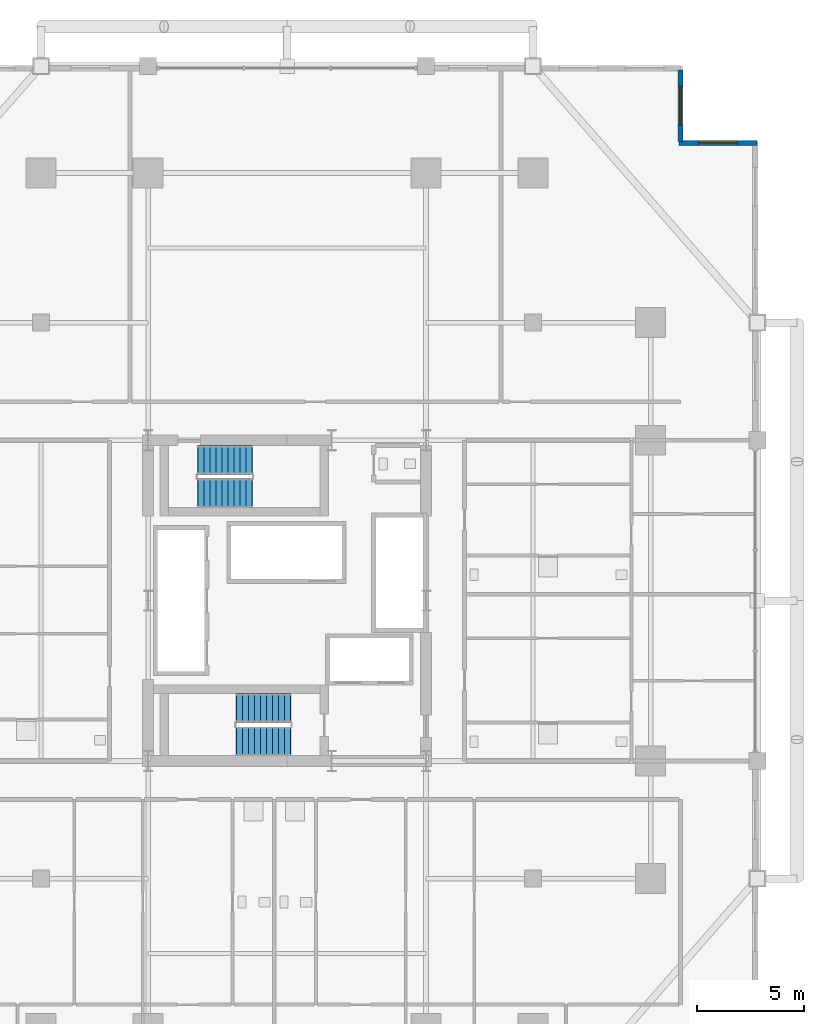
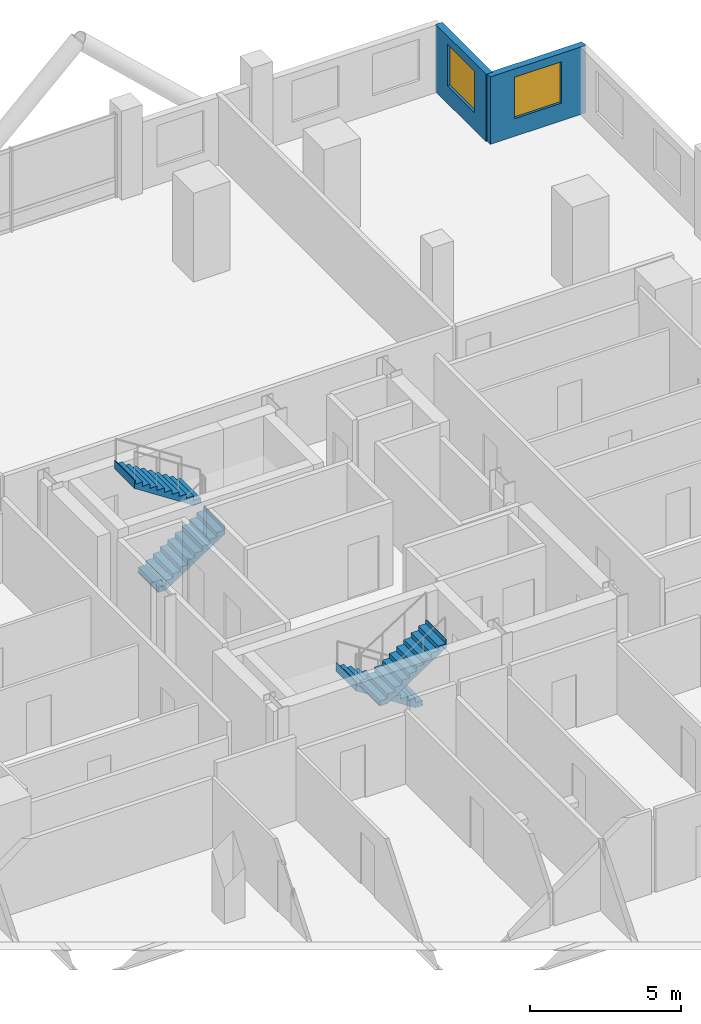
# One storey, part 25 of 27: 4 stair flights, 2 walls, 2 windows, 2 openings, 2 elements without a shape of their own.
"""IFC4 building model written with IfcOpenShell, lengths in metres."""

from ifc_helpers import new_model, si_unit, direction, frame, frame_2d, origin, place, context, subcontext, project, spatial, polyline, rectangle, outline, extrude, material, layer, layer_set, type_object, element, fill, aggregate, save


model = new_model("IFC4")

# Units and contexts
model_context = context("Model", 3, precision=1e-05, world=origin(), true_north=direction((0.0, 1.0)))
body_context = subcontext(model_context, "Body", "Model", "MODEL_VIEW")
ifc_project = project(units=[si_unit("LENGTHUNIT", "METRE"), si_unit("AREAUNIT", "SQUARE_METRE"), si_unit("VOLUMEUNIT", "CUBIC_METRE"), si_unit("PLANEANGLEUNIT", "RADIAN"), si_unit("MASSUNIT", "GRAM", prefix="KILO")], contexts=[model_context])

# Site, building, storey
site_placement = place(None, origin())
site = spatial("IfcSite", under=ifc_project, at=site_placement, CompositionType="ELEMENT")
building_placement = place(site_placement, origin())
building = spatial("IfcBuilding", under=site, at=building_placement, Name="Barlavira Tower and Art Museum", CompositionType="ELEMENT")
storey_placement = place(building_placement, frame((0.0, 0.0, 72.0)))
storey = spatial("IfcBuildingStorey", under=building, at=storey_placement, Name="L17", CompositionType="ELEMENT", Elevation=72.0)

# Wall, opening, window
ifc_material_1 = material(Name="Precast concrete C40", Category="concrete")
ifc_layer = layer(ifc_material_1, 0.25, Name="Precast concrete C40")
ifc_layer_set = layer_set([ifc_layer], Name="Precast concrete C40")
wall_type = type_object("IfcWallType", Name="Notched Corner Spandrel Wall 250 Precast Concrete C40", PredefinedType="SOLIDWALL", material=ifc_layer_set)
wall_1_placement = place(storey_placement, frame((21.97998046875, 21.39990234375, 0.0), z_axis=(0.0, 0.0, 1.0), x_axis=(-1.0, 0.0, 0.0)))
wall_1 = element("IfcWall", 1, at=wall_1_placement, inside=storey, type_object=wall_type, Name="L17 Notch Corner Wall NE1", PredefinedType="SOLIDWALL", context=body_context, shape_type="SweptSolid", body=[
    extrude(rectangle(XDim=3.659912109375, YDim=0.25, at=frame_2d((1.830078125, 0.0))), origin(), (0.0, 0.0, 1.0), 2.736083984375),
])
opening_1_placement = place(wall_1_placement, frame((0.929931640625, 0.0, 0.719970703125)))
opening_1 = element("IfcOpeningElement", 2, at=opening_1_placement, cuts=wall_1, Name="Opening WN-01", PredefinedType="OPENING", context=body_context, shape_type="SweptSolid", body=[
    extrude(rectangle(XDim=1.800048828125, YDim=1.679931640625, at=frame_2d((0.89990234375, 0.83984375))), frame((0.0, 0.135009765625, 0.0), z_axis=(0.0, -1.0, 0.0), x_axis=(1.0, 0.0, 0.0)), (0.0, 0.0, 1.0), 0.27001953125),
])
ifc_material_2 = material(Name="Low-iron coastal laminated glass", Category="glass")
window_type = type_object("IfcWindowType", Name="Recessed Notch Corner Punch Window 1800x1680", PartitioningType="SINGLE_PANEL", PredefinedType="WINDOW", material=ifc_material_2)
window_1_placement = place(opening_1_placement, origin())
window_1 = element("IfcWindow", 3, at=window_1_placement, inside=storey, type_object=window_type, Name="L17 Punched Facade Window EW-NTC-L17-NE1-1", OverallHeight=1.679931640625, OverallWidth=1.800048828125, PartitioningType="SINGLE_PANEL", PredefinedType="WINDOW", context=body_context, shape_type="SweptSolid", body=[
    extrude(rectangle(XDim=1.800048828125, YDim=1.679931640625, at=frame_2d((0.89990234375, 0.83984375))), frame((0.0, 0.030029296875, 0.0), z_axis=(0.0, -1.0, 0.0), x_axis=(1.0, 0.0, 0.0)), (0.0, 0.0, 1.0), 0.06005859375),
])
fill(opening_1, window_1)

wall_2_placement = place(storey_placement, frame((18.39990234375, 21.47998046875, 0.0), z_axis=(0.0, 0.0, 1.0), x_axis=(0.0, 1.0, 0.0)))
wall_2 = element("IfcWall", 4, at=wall_2_placement, inside=storey, type_object=wall_type, Name="L17 Notch Corner Wall NE2", PredefinedType="SOLIDWALL", context=body_context, shape_type="SweptSolid", body=[
    extrude(rectangle(XDim=3.340087890625, YDim=0.25, at=frame_2d((1.669921875, 0.0))), origin(), (0.0, 0.0, 1.0), 2.736083984375),
])
opening_2_placement = place(wall_2_placement, frame((0.77001953125, 0.0, 0.719970703125)))
opening_2 = element("IfcOpeningElement", 5, at=opening_2_placement, cuts=wall_2, Name="Opening WN-01", PredefinedType="OPENING", context=body_context, shape_type="SweptSolid", body=[
    extrude(rectangle(XDim=1.800048828125, YDim=1.679931640625, at=frame_2d((0.89990234375, 0.83984375))), frame((0.0, 0.135009765625, 0.0), z_axis=(0.0, -1.0, 0.0), x_axis=(1.0, 0.0, 0.0)), (0.0, 0.0, 1.0), 0.27001953125),
])
window_2_placement = place(opening_2_placement, origin())
window_2 = element("IfcWindow", 6, at=window_2_placement, inside=storey, type_object=window_type, Name="L17 Punched Facade Window EW-NTC-L17-NE2-1", OverallHeight=1.679931640625, OverallWidth=1.800048828125, PartitioningType="SINGLE_PANEL", PredefinedType="WINDOW", context=body_context, shape_type="SweptSolid", body=[
    extrude(rectangle(XDim=1.800048828125, YDim=1.679931640625, at=frame_2d((0.89990234375, 0.83984375))), frame((0.0, 0.030029296875, 0.0), z_axis=(0.0, -1.0, 0.0), x_axis=(1.0, 0.0, 0.0)), (0.0, 0.0, 1.0), 0.06005859375),
])
fill(opening_2, window_2)

# Stair, stair flights
ifc_material_3 = material(Name="Concrete C45", Category="concrete")
stair_type_1 = type_object("IfcStairType", Name="Tower North Dog-Leg Exit Stair Assembly Concrete C45", PredefinedType="TWO_QUARTER_TURN_STAIR", material=ifc_material_3)
stair_1_placement = place(storey_placement, origin())
stair_1 = element("IfcStair", 7, at=stair_1_placement, inside=storey, type_object=stair_type_1, Name="L17 Tower North Exit Stair ST-T2", PredefinedType="TWO_QUARTER_TURN_STAIR")
ifc_material_4 = material(Name="Precast concrete C45", Category="concrete")
stair_flight_type_1 = type_object("IfcStairFlightType", Name="Tower North Dog-Leg Exit Stair Precast Flight 1350 Concrete C45", PredefinedType="STRAIGHT", material=ifc_material_4)
stair_flight_1_placement = place(storey_placement, frame((-4.169921875, 5.02490234375, 0.0), z_axis=(0.0, 0.0, 1.0), x_axis=(1.0, 0.0, 0.0)))
stair_flight_1 = element("IfcStairFlight", 8, at=stair_flight_1_placement, type_object=stair_flight_type_1, Name="ST-T2 flight 1", NumberOfRisers=10, NumberOfTreads=9, PredefinedType="STRAIGHT", RiserHeight=0.18, TreadLength=0.28, context=body_context, shape_type="SweptSolid", body=[
    extrude(outline(polyline([(-0.02490234375, 0.0), (0.0, 0.0), (0.0, 0.179931640625), (0.280029296875, 0.179931640625), (0.280029296875, 0.360107421875), (0.56005859375, 0.360107421875), (0.56005859375, 0.5400390625), (0.840087890625, 0.5400390625), (0.840087890625, 0.719970703125), (1.1201171875, 0.719970703125), (1.1201171875, 0.89990234375), (1.39990234375, 0.89990234375), (1.39990234375, 1.080078125), (1.679931640625, 1.080078125), (1.679931640625, 1.260009765625), (1.9599609375, 1.260009765625), (1.9599609375, 1.43994140625), (2.239990234375, 1.43994140625), (2.239990234375, 1.6201171875), (2.52001953125, 1.6201171875), (2.52001953125, 1.800048828125), (2.544921875, 1.800048828125), (2.544921875, 1.44189453125), (2.52001953125, 1.44189453125), (0.277099609375, -0.02490234375), (-0.02490234375, -0.02490234375), (-0.02490234375, 0.0)])), frame((0.0, 0.675048828125, 0.0), z_axis=(0.0, -1.0, 0.0), x_axis=(1.0, 0.0, 0.0)), (0.0, 0.0, 1.0), 1.35009765625),
])
stair_flight_2_placement = place(storey_placement, frame((-1.64990234375, 6.574951171875, 1.800048828125), z_axis=(0.0, 0.0, 1.0), x_axis=(-1.0, 0.0, 0.0)))
stair_flight_2 = element("IfcStairFlight", 9, at=stair_flight_2_placement, type_object=stair_flight_type_1, Name="ST-T2 flight 2", NumberOfRisers=10, NumberOfTreads=9, PredefinedType="STRAIGHT", RiserHeight=0.18, TreadLength=0.28, context=body_context, shape_type="SweptSolid", body=[
    extrude(outline(polyline([(-0.02490234375, 0.0), (0.0, 0.0), (0.0, 0.179931640625), (0.280029296875, 0.179931640625), (0.280029296875, 0.360107421875), (0.56005859375, 0.360107421875), (0.56005859375, 0.5400390625), (0.840087890625, 0.5400390625), (0.840087890625, 0.719970703125), (1.1201171875, 0.719970703125), (1.1201171875, 0.89990234375), (1.39990234375, 0.89990234375), (1.39990234375, 1.080078125), (1.679931640625, 1.080078125), (1.679931640625, 1.260009765625), (1.9599609375, 1.260009765625), (1.9599609375, 1.43994140625), (2.239990234375, 1.43994140625), (2.239990234375, 1.6201171875), (2.52001953125, 1.6201171875), (2.52001953125, 1.800048828125), (2.544921875, 1.800048828125), (2.544921875, 1.44189453125), (2.52001953125, 1.44189453125), (0.277099609375, -0.02490234375), (-0.02490234375, -0.02490234375), (-0.02490234375, 0.0)])), frame((0.0, 0.675048828125, 0.0), z_axis=(0.0, -1.0, 0.0), x_axis=(1.0, 0.0, 0.0)), (0.0, 0.0, 1.0), 1.35009765625),
])
aggregate(stair_1, [stair_flight_1, stair_flight_2])

stair_type_2 = type_object("IfcStairType", Name="Tower South Dog-Leg Exit Stair Assembly Concrete C45", PredefinedType="TWO_QUARTER_TURN_STAIR", material=ifc_material_3)
stair_2_placement = place(storey_placement, origin())
stair_2 = element("IfcStair", 10, at=stair_2_placement, inside=storey, type_object=stair_type_2, Name="L17 Tower South Exit Stair ST-T1", PredefinedType="TWO_QUARTER_TURN_STAIR")
stair_flight_type_2 = type_object("IfcStairFlightType", Name="Tower South Dog-Leg Exit Stair Precast Flight 1350 Concrete C45", PredefinedType="STRAIGHT", material=ifc_material_4)
stair_flight_3_placement = place(storey_placement, frame((0.14990234375, -5.02490234375, 0.0), z_axis=(0.0, 0.0, 1.0), x_axis=(-1.0, 0.0, 0.0)))
stair_flight_3 = element("IfcStairFlight", 11, at=stair_flight_3_placement, type_object=stair_flight_type_2, Name="ST-T1 flight 1", NumberOfRisers=10, NumberOfTreads=9, PredefinedType="STRAIGHT", RiserHeight=0.18, TreadLength=0.28, context=body_context, shape_type="SweptSolid", body=[
    extrude(outline(polyline([(-0.02490234375, 0.0), (0.0, 0.0), (0.0, 0.179931640625), (0.280029296875, 0.179931640625), (0.280029296875, 0.360107421875), (0.56005859375, 0.360107421875), (0.56005859375, 0.5400390625), (0.840087890625, 0.5400390625), (0.840087890625, 0.719970703125), (1.1201171875, 0.719970703125), (1.1201171875, 0.89990234375), (1.39990234375, 0.89990234375), (1.39990234375, 1.080078125), (1.679931640625, 1.080078125), (1.679931640625, 1.260009765625), (1.9599609375, 1.260009765625), (1.9599609375, 1.43994140625), (2.239990234375, 1.43994140625), (2.239990234375, 1.6201171875), (2.52001953125, 1.6201171875), (2.52001953125, 1.800048828125), (2.544921875, 1.800048828125), (2.544921875, 1.44189453125), (2.52001953125, 1.44189453125), (0.277099609375, -0.02490234375), (-0.02490234375, -0.02490234375), (-0.02490234375, 0.0)])), frame((0.0, 0.675048828125, 0.0), z_axis=(0.0, -1.0, 0.0), x_axis=(1.0, 0.0, 0.0)), (0.0, 0.0, 1.0), 1.35009765625),
])
stair_flight_4_placement = place(storey_placement, frame((-2.3701171875, -6.574951171875, 1.800048828125), z_axis=(0.0, 0.0, 1.0), x_axis=(1.0, 0.0, 0.0)))
stair_flight_4 = element("IfcStairFlight", 12, at=stair_flight_4_placement, type_object=stair_flight_type_2, Name="ST-T1 flight 2", NumberOfRisers=10, NumberOfTreads=9, PredefinedType="STRAIGHT", RiserHeight=0.18, TreadLength=0.28, context=body_context, shape_type="SweptSolid", body=[
    extrude(outline(polyline([(-0.02490234375, 0.0), (0.0, 0.0), (0.0, 0.179931640625), (0.280029296875, 0.179931640625), (0.280029296875, 0.360107421875), (0.56005859375, 0.360107421875), (0.56005859375, 0.5400390625), (0.840087890625, 0.5400390625), (0.840087890625, 0.719970703125), (1.1201171875, 0.719970703125), (1.1201171875, 0.89990234375), (1.39990234375, 0.89990234375), (1.39990234375, 1.080078125), (1.679931640625, 1.080078125), (1.679931640625, 1.260009765625), (1.9599609375, 1.260009765625), (1.9599609375, 1.43994140625), (2.239990234375, 1.43994140625), (2.239990234375, 1.6201171875), (2.52001953125, 1.6201171875), (2.52001953125, 1.800048828125), (2.544921875, 1.800048828125), (2.544921875, 1.44189453125), (2.52001953125, 1.44189453125), (0.277099609375, -0.02490234375), (-0.02490234375, -0.02490234375), (-0.02490234375, 0.0)])), frame((0.0, 0.675048828125, 0.0), z_axis=(0.0, -1.0, 0.0), x_axis=(1.0, 0.0, 0.0)), (0.0, 0.0, 1.0), 1.35009765625),
])
aggregate(stair_2, [stair_flight_3, stair_flight_4])

save(model, "model.ifc")
